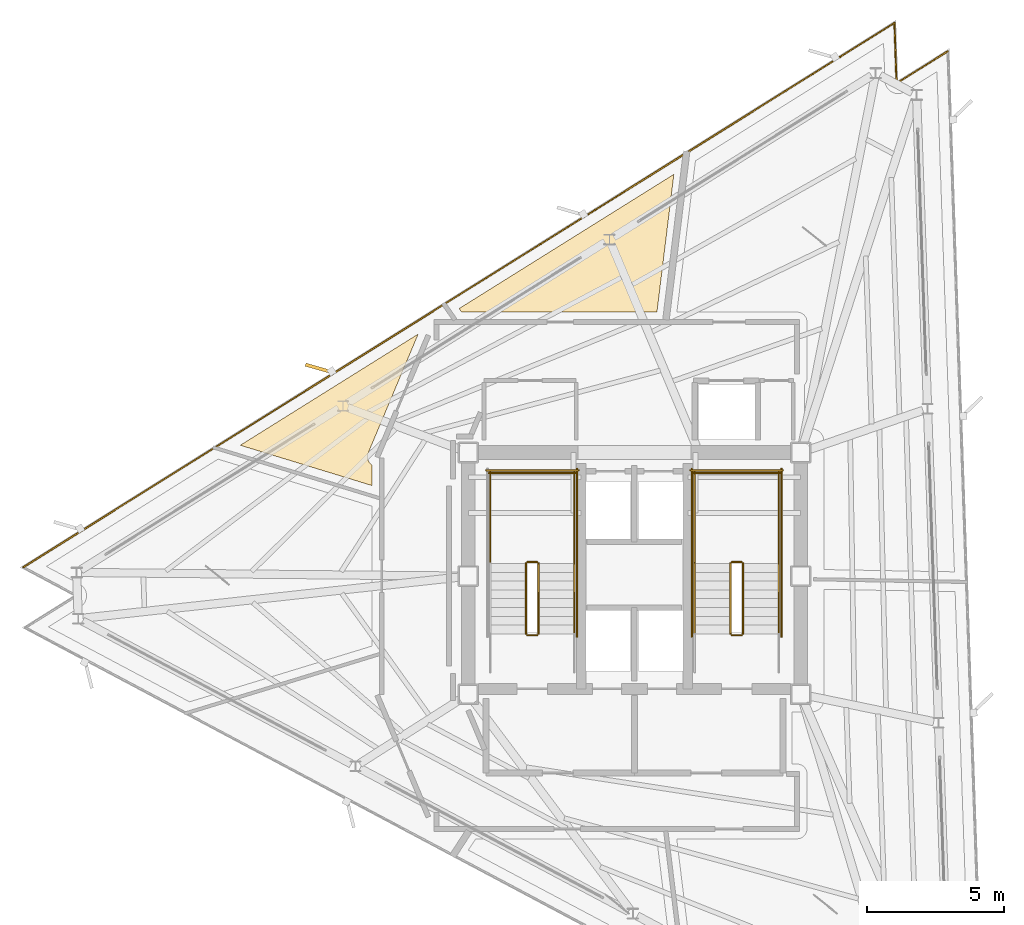
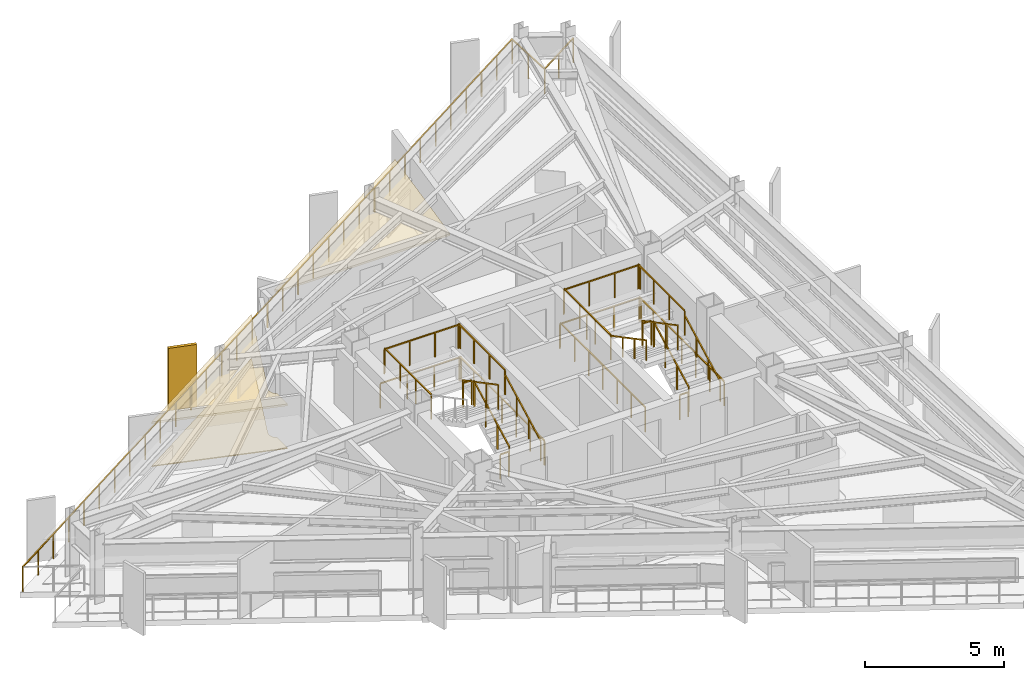
# One storey, part 12 of 13: 23 railings, 3 coverings, 1 shading device.
"""IFC4 building model written with IfcOpenShell, lengths in metres."""

from ifc_helpers import new_model, si_unit, direction, frame, origin, origin_2d, place, context, subcontext, project, spatial, polyline, rectangle, outline, extrude, material, layer, layer_set, type_object, element, save


model = new_model("IFC4")

# Units and contexts
model_context = context("Model", 3, precision=1e-05, world=origin(), true_north=direction((0.0, 1.0)))
body_context = subcontext(model_context, "Body", "Model", "MODEL_VIEW")
ifc_project = project(units=[si_unit("LENGTHUNIT", "METRE"), si_unit("AREAUNIT", "SQUARE_METRE"), si_unit("VOLUMEUNIT", "CUBIC_METRE"), si_unit("PLANEANGLEUNIT", "RADIAN"), si_unit("MASSUNIT", "GRAM", prefix="KILO")], contexts=[model_context])

# Site, building, storey
site_placement = place(None, origin())
site = spatial("IfcSite", under=ifc_project, at=site_placement, CompositionType="ELEMENT")
building_placement = place(site_placement, origin())
building = spatial("IfcBuilding", under=site, at=building_placement, Name="Rocaltana Carrier Exchange", CompositionType="ELEMENT")
storey_placement = place(building_placement, frame((0.0, 0.0, 211.840087890625)))
storey = spatial("IfcBuildingStorey", under=building, at=storey_placement, Name="L67", CompositionType="ELEMENT", Elevation=211.840087890625)

# Coverings
ifc_material_1 = material(Name="Honed Bogota Sandstone Tile", Category="masonry")
ifc_layer_1 = layer(ifc_material_1, 0.0400390625)
ifc_layer_set_1 = layer_set([ifc_layer_1], Name="Honed Bogota Sandstone Tile")
covering_type_1 = type_object("IfcCoveringType", Name="Honed Stone Lobby Flooring 40", PredefinedType="FLOORING", material=ifc_layer_set_1)
covering_1_placement = place(storey_placement, origin())
element("IfcCovering", 1, at=covering_1_placement, inside=storey, type_object=covering_type_1, Name="L67 Carrier Peering Suite Finish Floor", PredefinedType="FLOORING", context=body_context, shape_type="SweptSolid", body=[
    extrude(outline(polyline([(-9.56005859375, 4.052001953125), (-9.56005859375, 3.29931640625), (-14.35009765625, 4.763916015625), (-7.874267578125, 8.810302734375), (-9.69091796875, 4.489990234375), (-9.69580078125, 4.47705078125), (-9.698486328125, 4.4697265625), (-9.706787109375, 4.443603515625), (-9.70849609375, 4.435791015625), (-9.714111328125, 4.408935546875), (-9.71533203125, 4.401123046875), (-9.71826171875, 4.373779296875), (-9.718505859375, 4.365966796875), (-9.71875, 4.33837890625), (-9.718505859375, 4.330810546875), (-9.7158203125, 4.30322265625), (-9.714599609375, 4.295654296875), (-9.70947265625, 4.2685546875), (-9.70751953125, 4.260986328125), (-9.69970703125, 4.234619140625), (-9.697265625, 4.227294921875), (-9.686767578125, 4.201904296875), (-9.68359375, 4.194580078125), (-9.670654296875, 4.17041015625), (-9.666748046875, 4.16357421875), (-9.651611328125, 4.140625), (-9.64697265625, 4.134521484375), (-9.629638671875, 4.113037109375), (-9.624267578125, 4.107177734375), (-9.60498046875, 4.087646484375), (-9.59912109375, 4.082275390625), (-9.578125, 4.064697265625), (-9.57177734375, 4.06005859375), (-9.56005859375, 4.052001953125)])), origin(), (0.0, 0.0, 1.0), 0.039794921875),
])
ifc_material_2 = material(Name="Anodised Aluminium 6063-T6", Category="aluminium")
ifc_layer_2 = layer(ifc_material_2, 0.0849609375)
ifc_layer_set_2 = layer_set([ifc_layer_2], Name="Anodised Aluminium 6063-T6")
covering_type_2 = type_object("IfcCoveringType", Name="Linear Baffle Acoustic Ceiling 85", PredefinedType="CEILING", material=ifc_layer_set_2)
covering_2_placement = place(storey_placement, frame((0.0, 0.0, 1.8828125)))
element("IfcCovering", 2, at=covering_2_placement, inside=storey, type_object=covering_type_2, Name="L67 Peering Conference Room Acoustic Ceiling", PredefinedType="CEILING", context=body_context, shape_type="SweptSolid", body=[
    extrude(outline(polyline([(1.43310546875, 14.626220703125), (0.8173828125, 9.610107421875), (-6.28955078125, 9.610107421875), (-6.38232421875, 9.74267578125), (1.43310546875, 14.626220703125)])), origin(), (0.0, 0.0, 1.0), 0.085205078125),
])
covering_3_placement = place(storey_placement, frame((0.0, 0.0, 1.8828125)))
element("IfcCovering", 3, at=covering_3_placement, inside=storey, type_object=covering_type_2, Name="L67 Carrier Peering Suite Acoustic Ceiling", PredefinedType="CEILING", context=body_context, shape_type="SweptSolid", body=[
    extrude(outline(polyline([(-9.56005859375, 4.052001953125), (-9.56005859375, 3.29931640625), (-14.35009765625, 4.763916015625), (-7.874267578125, 8.810302734375), (-9.69091796875, 4.489990234375), (-9.69580078125, 4.47705078125), (-9.698486328125, 4.4697265625), (-9.706787109375, 4.443603515625), (-9.70849609375, 4.435791015625), (-9.714111328125, 4.408935546875), (-9.71533203125, 4.401123046875), (-9.71826171875, 4.373779296875), (-9.718505859375, 4.365966796875), (-9.71875, 4.33837890625), (-9.718505859375, 4.330810546875), (-9.7158203125, 4.30322265625), (-9.714599609375, 4.295654296875), (-9.70947265625, 4.2685546875), (-9.70751953125, 4.260986328125), (-9.69970703125, 4.234619140625), (-9.697265625, 4.227294921875), (-9.686767578125, 4.201904296875), (-9.68359375, 4.194580078125), (-9.670654296875, 4.17041015625), (-9.666748046875, 4.16357421875), (-9.651611328125, 4.140625), (-9.64697265625, 4.134521484375), (-9.629638671875, 4.113037109375), (-9.624267578125, 4.107177734375), (-9.60498046875, 4.087646484375), (-9.59912109375, 4.082275390625), (-9.578125, 4.064697265625), (-9.57177734375, 4.06005859375), (-9.56005859375, 4.052001953125)])), origin(), (0.0, 0.0, 1.0), 0.085205078125),
])

# Railings
ifc_material_3 = material(Name="Brushed Architectural Stainless Tube", Category="steel")
ifc_layer_3 = layer(ifc_material_3, 0.048095703125)
ifc_layer_set_3 = layer_set([ifc_layer_3], Name="Brushed Architectural Stainless Tube")
railing_type_1 = type_object("IfcRailingType", Name="Stair Wall Handrail 920", PredefinedType="HANDRAIL", material=ifc_layer_set_3)
for number, where, name in (
    (4, (-2.18994140625, -2.10009765625, 0.168701171875), "L67 ST-1 stair handrail 1"),
    (5, (5.25, -2.10009765625, 0.168701171875), "L67 ST-2 stair handrail 1"),
):
    element("IfcRailing", number, at=place(storey_placement, frame(where)), inside=storey, type_object=railing_type_1, Name=name, PredefinedType="HANDRAIL", context=body_context, shape_type="SweptSolid", body=[
        extrude(rectangle(XDim=0.048095703125, YDim=0.048095703125, at=origin_2d()), frame((0.0, 0.0, 0.8759765625), z_axis=(0.0, 0.884359608194, 0.46680625895), x_axis=(-1.0, 0.0, 0.0)), (0.0, 0.0, 1.0), 2.894775390625),
        extrude(rectangle(XDim=0.0419921875, YDim=0.0419921875, at=origin_2d()), origin(), (0.0, 0.0, 1.0), 0.851806640625),
        extrude(rectangle(XDim=0.0419921875, YDim=0.0419921875, at=origin_2d()), frame((0.0, 0.853271484375, 0.450439453125)), (0.0, 0.0, 1.0), 0.851806640625),
        extrude(rectangle(XDim=0.0419921875, YDim=0.0419921875, at=origin_2d()), frame((0.0, 1.706787109375, 0.90087890625)), (0.0, 0.0, 1.0), 0.851806640625),
        extrude(rectangle(XDim=0.0419921875, YDim=0.0419921875, at=origin_2d()), frame((0.0, 2.56005859375, 1.351318359375)), (0.0, 0.0, 1.0), 0.851806640625),
    ])
railing_1_placement = place(storey_placement, frame((2.18994140625, 0.4599609375, 1.688720703125)))
element("IfcRailing", 6, at=railing_1_placement, inside=storey, type_object=railing_type_1, Name="L67 ST-2 stair handrail 2", PredefinedType="HANDRAIL", context=body_context, shape_type="SweptSolid", body=[
    extrude(rectangle(XDim=0.048095703125, YDim=0.048095703125, at=origin_2d()), frame((0.0, 0.0, 0.8759765625), z_axis=(0.0, -0.884394423565, 0.466740295633), x_axis=(1.0, 0.0, 0.0)), (0.0, 0.0, 1.0), 2.894775390625),
    extrude(rectangle(XDim=0.0419921875, YDim=0.0419921875, at=origin_2d()), origin(), (0.0, 0.0, 1.0), 0.851806640625),
    extrude(rectangle(XDim=0.0419921875, YDim=0.0419921875, at=origin_2d()), frame((0.0, -0.853271484375, 0.450439453125)), (0.0, 0.0, 1.0), 0.851806640625),
    extrude(rectangle(XDim=0.0419921875, YDim=0.0419921875, at=origin_2d()), frame((0.0, -1.706787109375, 0.900634765625)), (0.0, 0.0, 1.0), 0.851806640625),
    extrude(rectangle(XDim=0.0419921875, YDim=0.0419921875, at=origin_2d()), frame((0.0, -2.56005859375, 1.35107421875)), (0.0, 0.0, 1.0), 0.851806640625),
])
ifc_material_4 = material(Name="Powder-Coated Aluminium 6063-T6", Category="aluminium")
ifc_layer_4 = layer(ifc_material_4, 0.048095703125)
ifc_layer_set_4 = layer_set([ifc_layer_4], Name="Powder-Coated Aluminium 6063-T6")
railing_type_2 = type_object("IfcRailingType", Name="Stair Well Guardrail 1100", PredefinedType="GUARDRAIL", material=ifc_layer_set_4)
railing_2_placement = place(storey_placement, frame((-3.489990234375, -2.10009765625, 0.168701171875)))
element("IfcRailing", 7, at=railing_2_placement, inside=storey, type_object=railing_type_2, Name="L67 ST-1 stair guard 1", PredefinedType="GUARDRAIL", context=body_context, shape_type="SweptSolid", body=[
    extrude(rectangle(XDim=0.048095703125, YDim=0.048095703125, at=origin_2d()), frame((0.0, 0.0, 1.076171875), z_axis=(0.0, 0.884359608194, 0.46680625895), x_axis=(-1.0, 0.0, 0.0)), (0.0, 0.0, 1.0), 2.894775390625),
    extrude(rectangle(XDim=0.0419921875, YDim=0.0419921875, at=origin_2d()), origin(), (0.0, 0.0, 1.0), 1.052001953125),
    extrude(rectangle(XDim=0.0419921875, YDim=0.0419921875, at=origin_2d()), frame((0.0, 0.853271484375, 0.450439453125)), (0.0, 0.0, 1.0), 1.052001953125),
    extrude(rectangle(XDim=0.0419921875, YDim=0.0419921875, at=origin_2d()), frame((0.0, 1.706787109375, 0.90087890625)), (0.0, 0.0, 1.0), 1.052001953125),
    extrude(rectangle(XDim=0.0419921875, YDim=0.0419921875, at=origin_2d()), frame((0.0, 2.56005859375, 1.351318359375)), (0.0, 0.0, 1.0), 1.052001953125),
])
railing_3_placement = place(storey_placement, frame((-3.5400390625, 0.510009765625, 1.52001953125)))
element("IfcRailing", 8, at=railing_3_placement, inside=storey, type_object=railing_type_2, Name="L67 ST-1 stair guard 2", PredefinedType="GUARDRAIL", context=body_context, shape_type="SweptSolid", body=[
    extrude(rectangle(XDim=0.048095703125, YDim=0.048095703125, at=origin_2d()), frame((0.0, 0.0, 1.076171875), z_axis=(-1.0, 0.0, 0.0), x_axis=(0.0, -1.0, 0.0)), (0.0, 0.0, 1.0), 0.35986328125),
    extrude(rectangle(XDim=0.0419921875, YDim=0.0419921875, at=origin_2d()), origin(), (0.0, 0.0, 1.0), 1.052001953125),
    extrude(rectangle(XDim=0.0419921875, YDim=0.0419921875, at=origin_2d()), frame((-0.35986328125, 0.0, 0.0)), (0.0, 0.0, 1.0), 1.052001953125),
])
for number, where, name in (
    (9, (-2.18994140625, 0.4599609375, 1.52001953125), "L67 ST-1 stair guard 3"),
    (10, (-5.25, 0.4599609375, 1.52001953125), "L67 ST-1 stair guard 4"),
):
    element("IfcRailing", number, at=place(storey_placement, frame(where)), inside=storey, type_object=railing_type_2, Name=name, PredefinedType="GUARDRAIL", context=body_context, shape_type="SweptSolid", body=[
        extrude(rectangle(XDim=0.048095703125, YDim=0.048095703125, at=origin_2d()), frame((0.0, 0.0, 1.076171875), z_axis=(0.0, 1.0, 0.0), x_axis=(-1.0, 0.0, 0.0)), (0.0, 0.0, 1.0), 3.340087890625),
        extrude(rectangle(XDim=0.0419921875, YDim=0.0419921875, at=origin_2d()), origin(), (0.0, 0.0, 1.0), 1.052001953125),
        extrude(rectangle(XDim=0.0419921875, YDim=0.0419921875, at=origin_2d()), frame((0.0, 1.11328125, 0.0)), (0.0, 0.0, 1.0), 1.052001953125),
        extrude(rectangle(XDim=0.0419921875, YDim=0.0419921875, at=origin_2d()), frame((0.0, 2.226806640625, 0.0)), (0.0, 0.0, 1.0), 1.052001953125),
        extrude(rectangle(XDim=0.0419921875, YDim=0.0419921875, at=origin_2d()), frame((0.0, 3.340087890625, 0.0)), (0.0, 0.0, 1.0), 1.052001953125),
    ])
railing_4_placement = place(storey_placement, frame((-2.139892578125, 3.75, 1.52001953125)))
element("IfcRailing", 11, at=railing_4_placement, inside=storey, type_object=railing_type_2, Name="L67 ST-1 stair guard 5", PredefinedType="GUARDRAIL", context=body_context, shape_type="SweptSolid", body=[
    extrude(rectangle(XDim=0.048095703125, YDim=0.048095703125, at=origin_2d()), frame((0.0, 0.0, 1.076171875), z_axis=(-1.0, 0.0, 0.0), x_axis=(0.0, -1.0, 0.0)), (0.0, 0.0, 1.0), 3.16015625),
    extrude(rectangle(XDim=0.0419921875, YDim=0.0419921875, at=origin_2d()), origin(), (0.0, 0.0, 1.0), 1.052001953125),
    extrude(rectangle(XDim=0.0419921875, YDim=0.0419921875, at=origin_2d()), frame((-1.053466796875, 0.0, 0.0)), (0.0, 0.0, 1.0), 1.052001953125),
    extrude(rectangle(XDim=0.0419921875, YDim=0.0419921875, at=origin_2d()), frame((-2.106689453125, 0.0, 0.0)), (0.0, 0.0, 1.0), 1.052001953125),
    extrude(rectangle(XDim=0.0419921875, YDim=0.0419921875, at=origin_2d()), frame((-3.16015625, 0.0, 0.0)), (0.0, 0.0, 1.0), 1.052001953125),
])
railing_5_placement = place(storey_placement, frame((-3.949951171875, 0.4599609375, 1.688720703125)))
element("IfcRailing", 12, at=railing_5_placement, inside=storey, type_object=railing_type_2, Name="L67 ST-1 stair guard 6", PredefinedType="GUARDRAIL", context=body_context, shape_type="SweptSolid", body=[
    extrude(rectangle(XDim=0.048095703125, YDim=0.048095703125, at=origin_2d()), frame((0.0, 0.0, 1.076171875), z_axis=(0.0, -0.884394423565, 0.466740295633), x_axis=(1.0, 0.0, 0.0)), (0.0, 0.0, 1.0), 2.894775390625),
    extrude(rectangle(XDim=0.0419921875, YDim=0.0419921875, at=origin_2d()), origin(), (0.0, 0.0, 1.0), 1.052001953125),
    extrude(rectangle(XDim=0.0419921875, YDim=0.0419921875, at=origin_2d()), frame((0.0, -0.853271484375, 0.450439453125)), (0.0, 0.0, 1.0), 1.052001953125),
    extrude(rectangle(XDim=0.0419921875, YDim=0.0419921875, at=origin_2d()), frame((0.0, -1.706787109375, 0.900634765625)), (0.0, 0.0, 1.0), 1.052001953125),
    extrude(rectangle(XDim=0.0419921875, YDim=0.0419921875, at=origin_2d()), frame((0.0, -2.56005859375, 1.35107421875)), (0.0, 0.0, 1.0), 1.052001953125),
])
railing_6_placement = place(storey_placement, frame((-3.5400390625, -2.14990234375, 0.0)))
element("IfcRailing", 13, at=railing_6_placement, inside=storey, type_object=railing_type_2, Name="L67 ST-1 stair guard 7", PredefinedType="GUARDRAIL", context=body_context, shape_type="SweptSolid", body=[
    extrude(rectangle(XDim=0.048095703125, YDim=0.048095703125, at=origin_2d()), frame((0.0, 0.0, 1.076171875), z_axis=(-1.0, 0.0, 0.0), x_axis=(0.0, -1.0, 0.0)), (0.0, 0.0, 1.0), 0.35986328125),
    extrude(rectangle(XDim=0.0419921875, YDim=0.0419921875, at=origin_2d()), origin(), (0.0, 0.0, 1.0), 1.052001953125),
    extrude(rectangle(XDim=0.0419921875, YDim=0.0419921875, at=origin_2d()), frame((-0.35986328125, 0.0, 0.0)), (0.0, 0.0, 1.0), 1.052001953125),
])
railing_7_placement = place(storey_placement, frame((-2.090087890625, -2.199951171875, 0.0)))
element("IfcRailing", 14, at=railing_7_placement, inside=storey, type_object=railing_type_2, Name="L67 ST-1 stair guard 10", PredefinedType="GUARDRAIL", context=body_context, shape_type="SweptSolid", body=[
    extrude(rectangle(XDim=0.048095703125, YDim=0.048095703125, at=origin_2d()), frame((0.0, 0.0, 1.076171875), z_axis=(0.0, 1.0, 0.0), x_axis=(-1.0, 0.0, 0.0)), (0.0, 0.0, 1.0), 6.099853515625),
    extrude(rectangle(XDim=0.0419921875, YDim=0.0419921875, at=origin_2d()), origin(), (0.0, 0.0, 1.0), 1.052001953125),
    extrude(rectangle(XDim=0.0419921875, YDim=0.0419921875, at=origin_2d()), frame((0.0, 1.0166015625, 0.0)), (0.0, 0.0, 1.0), 1.052001953125),
    extrude(rectangle(XDim=0.0419921875, YDim=0.0419921875, at=origin_2d()), frame((0.0, 2.033203125, 0.0)), (0.0, 0.0, 1.0), 1.052001953125),
    extrude(rectangle(XDim=0.0419921875, YDim=0.0419921875, at=origin_2d()), frame((0.0, 3.0498046875, 0.0)), (0.0, 0.0, 1.0), 1.052001953125),
    extrude(rectangle(XDim=0.0419921875, YDim=0.0419921875, at=origin_2d()), frame((0.0, 4.066650390625, 0.0)), (0.0, 0.0, 1.0), 1.052001953125),
    extrude(rectangle(XDim=0.0419921875, YDim=0.0419921875, at=origin_2d()), frame((0.0, 5.083251953125, 0.0)), (0.0, 0.0, 1.0), 1.052001953125),
    extrude(rectangle(XDim=0.0419921875, YDim=0.0419921875, at=origin_2d()), frame((0.0, 6.099853515625, 0.0)), (0.0, 0.0, 1.0), 1.052001953125),
])
railing_8_placement = place(storey_placement, frame((-2.0400390625, 3.85009765625, 0.0)))
element("IfcRailing", 15, at=railing_8_placement, inside=storey, type_object=railing_type_2, Name="L67 ST-1 stair guard 12", PredefinedType="GUARDRAIL", context=body_context, shape_type="SweptSolid", body=[
    extrude(rectangle(XDim=0.048095703125, YDim=0.048095703125, at=origin_2d()), frame((0.0, 0.0, 1.076171875), z_axis=(-1.0, 0.0, 0.0), x_axis=(0.0, -1.0, 0.0)), (0.0, 0.0, 1.0), 3.35986328125),
    extrude(rectangle(XDim=0.0419921875, YDim=0.0419921875, at=origin_2d()), origin(), (0.0, 0.0, 1.0), 1.052001953125),
    extrude(rectangle(XDim=0.0419921875, YDim=0.0419921875, at=origin_2d()), frame((-1.119873046875, 0.0, 0.0)), (0.0, 0.0, 1.0), 1.052001953125),
    extrude(rectangle(XDim=0.0419921875, YDim=0.0419921875, at=origin_2d()), frame((-2.239990234375, 0.0, 0.0)), (0.0, 0.0, 1.0), 1.052001953125),
    extrude(rectangle(XDim=0.0419921875, YDim=0.0419921875, at=origin_2d()), frame((-3.35986328125, 0.0, 0.0)), (0.0, 0.0, 1.0), 1.052001953125),
])
railing_9_placement = place(storey_placement, frame((3.949951171875, -2.10009765625, 0.168701171875)))
element("IfcRailing", 16, at=railing_9_placement, inside=storey, type_object=railing_type_2, Name="L67 ST-2 stair guard 1", PredefinedType="GUARDRAIL", context=body_context, shape_type="SweptSolid", body=[
    extrude(rectangle(XDim=0.048095703125, YDim=0.048095703125, at=origin_2d()), frame((0.0, 0.0, 1.076171875), z_axis=(0.0, 0.884359608194, 0.46680625895), x_axis=(-1.0, 0.0, 0.0)), (0.0, 0.0, 1.0), 2.894775390625),
    extrude(rectangle(XDim=0.0419921875, YDim=0.0419921875, at=origin_2d()), origin(), (0.0, 0.0, 1.0), 1.052001953125),
    extrude(rectangle(XDim=0.0419921875, YDim=0.0419921875, at=origin_2d()), frame((0.0, 0.853271484375, 0.450439453125)), (0.0, 0.0, 1.0), 1.052001953125),
    extrude(rectangle(XDim=0.0419921875, YDim=0.0419921875, at=origin_2d()), frame((0.0, 1.706787109375, 0.90087890625)), (0.0, 0.0, 1.0), 1.052001953125),
    extrude(rectangle(XDim=0.0419921875, YDim=0.0419921875, at=origin_2d()), frame((0.0, 2.56005859375, 1.351318359375)), (0.0, 0.0, 1.0), 1.052001953125),
])
railing_10_placement = place(storey_placement, frame((3.89990234375, 0.510009765625, 1.52001953125)))
element("IfcRailing", 17, at=railing_10_placement, inside=storey, type_object=railing_type_2, Name="L67 ST-2 stair guard 2", PredefinedType="GUARDRAIL", context=body_context, shape_type="SweptSolid", body=[
    extrude(rectangle(XDim=0.048095703125, YDim=0.048095703125, at=origin_2d()), frame((0.0, 0.0, 1.076171875), z_axis=(-1.0, 0.0, 0.0), x_axis=(0.0, -1.0, 0.0)), (0.0, 0.0, 1.0), 0.35986328125),
    extrude(rectangle(XDim=0.0419921875, YDim=0.0419921875, at=origin_2d()), origin(), (0.0, 0.0, 1.0), 1.052001953125),
    extrude(rectangle(XDim=0.0419921875, YDim=0.0419921875, at=origin_2d()), frame((-0.35986328125, 0.0, 0.0)), (0.0, 0.0, 1.0), 1.052001953125),
])
for number, where, name in (
    (18, (5.25, 0.4599609375, 1.52001953125), "L67 ST-2 stair guard 3"),
    (19, (2.18994140625, 0.4599609375, 1.52001953125), "L67 ST-2 stair guard 4"),
):
    element("IfcRailing", number, at=place(storey_placement, frame(where)), inside=storey, type_object=railing_type_2, Name=name, PredefinedType="GUARDRAIL", context=body_context, shape_type="SweptSolid", body=[
        extrude(rectangle(XDim=0.048095703125, YDim=0.048095703125, at=origin_2d()), frame((0.0, 0.0, 1.076171875), z_axis=(0.0, 1.0, 0.0), x_axis=(-1.0, 0.0, 0.0)), (0.0, 0.0, 1.0), 3.340087890625),
        extrude(rectangle(XDim=0.0419921875, YDim=0.0419921875, at=origin_2d()), origin(), (0.0, 0.0, 1.0), 1.052001953125),
        extrude(rectangle(XDim=0.0419921875, YDim=0.0419921875, at=origin_2d()), frame((0.0, 1.11328125, 0.0)), (0.0, 0.0, 1.0), 1.052001953125),
        extrude(rectangle(XDim=0.0419921875, YDim=0.0419921875, at=origin_2d()), frame((0.0, 2.226806640625, 0.0)), (0.0, 0.0, 1.0), 1.052001953125),
        extrude(rectangle(XDim=0.0419921875, YDim=0.0419921875, at=origin_2d()), frame((0.0, 3.340087890625, 0.0)), (0.0, 0.0, 1.0), 1.052001953125),
    ])
railing_11_placement = place(storey_placement, frame((5.300048828125, 3.75, 1.52001953125)))
element("IfcRailing", 20, at=railing_11_placement, inside=storey, type_object=railing_type_2, Name="L67 ST-2 stair guard 5", PredefinedType="GUARDRAIL", context=body_context, shape_type="SweptSolid", body=[
    extrude(rectangle(XDim=0.048095703125, YDim=0.048095703125, at=origin_2d()), frame((0.0, 0.0, 1.076171875), z_axis=(-1.0, 0.0, 0.0), x_axis=(0.0, -1.0, 0.0)), (0.0, 0.0, 1.0), 3.16015625),
    extrude(rectangle(XDim=0.0419921875, YDim=0.0419921875, at=origin_2d()), origin(), (0.0, 0.0, 1.0), 1.052001953125),
    extrude(rectangle(XDim=0.0419921875, YDim=0.0419921875, at=origin_2d()), frame((-1.053466796875, 0.0, 0.0)), (0.0, 0.0, 1.0), 1.052001953125),
    extrude(rectangle(XDim=0.0419921875, YDim=0.0419921875, at=origin_2d()), frame((-2.106689453125, 0.0, 0.0)), (0.0, 0.0, 1.0), 1.052001953125),
    extrude(rectangle(XDim=0.0419921875, YDim=0.0419921875, at=origin_2d()), frame((-3.16015625, 0.0, 0.0)), (0.0, 0.0, 1.0), 1.052001953125),
])
railing_12_placement = place(storey_placement, frame((3.489990234375, 0.4599609375, 1.688720703125)))
element("IfcRailing", 21, at=railing_12_placement, inside=storey, type_object=railing_type_2, Name="L67 ST-2 stair guard 6", PredefinedType="GUARDRAIL", context=body_context, shape_type="SweptSolid", body=[
    extrude(rectangle(XDim=0.048095703125, YDim=0.048095703125, at=origin_2d()), frame((0.0, 0.0, 1.076171875), z_axis=(0.0, -0.884394423565, 0.466740295633), x_axis=(1.0, 0.0, 0.0)), (0.0, 0.0, 1.0), 2.894775390625),
    extrude(rectangle(XDim=0.0419921875, YDim=0.0419921875, at=origin_2d()), origin(), (0.0, 0.0, 1.0), 1.052001953125),
    extrude(rectangle(XDim=0.0419921875, YDim=0.0419921875, at=origin_2d()), frame((0.0, -0.853271484375, 0.450439453125)), (0.0, 0.0, 1.0), 1.052001953125),
    extrude(rectangle(XDim=0.0419921875, YDim=0.0419921875, at=origin_2d()), frame((0.0, -1.706787109375, 0.900634765625)), (0.0, 0.0, 1.0), 1.052001953125),
    extrude(rectangle(XDim=0.0419921875, YDim=0.0419921875, at=origin_2d()), frame((0.0, -2.56005859375, 1.35107421875)), (0.0, 0.0, 1.0), 1.052001953125),
])
railing_13_placement = place(storey_placement, frame((3.89990234375, -2.14990234375, 0.0)))
element("IfcRailing", 22, at=railing_13_placement, inside=storey, type_object=railing_type_2, Name="L67 ST-2 stair guard 7", PredefinedType="GUARDRAIL", context=body_context, shape_type="SweptSolid", body=[
    extrude(rectangle(XDim=0.048095703125, YDim=0.048095703125, at=origin_2d()), frame((0.0, 0.0, 1.076171875), z_axis=(-1.0, 0.0, 0.0), x_axis=(0.0, -1.0, 0.0)), (0.0, 0.0, 1.0), 0.35986328125),
    extrude(rectangle(XDim=0.0419921875, YDim=0.0419921875, at=origin_2d()), origin(), (0.0, 0.0, 1.0), 1.052001953125),
    extrude(rectangle(XDim=0.0419921875, YDim=0.0419921875, at=origin_2d()), frame((-0.35986328125, 0.0, 0.0)), (0.0, 0.0, 1.0), 1.052001953125),
])
for number, where, name in (
    (23, (5.35009765625, -2.199951171875, 0.0), "L67 ST-2 stair guard 10"),
    (24, (2.090087890625, -2.199951171875, 0.0), "L67 ST-2 stair guard 11"),
):
    element("IfcRailing", number, at=place(storey_placement, frame(where)), inside=storey, type_object=railing_type_2, Name=name, PredefinedType="GUARDRAIL", context=body_context, shape_type="SweptSolid", body=[
        extrude(rectangle(XDim=0.048095703125, YDim=0.048095703125, at=origin_2d()), frame((0.0, 0.0, 1.076171875), z_axis=(0.0, 1.0, 0.0), x_axis=(-1.0, 0.0, 0.0)), (0.0, 0.0, 1.0), 6.099853515625),
        extrude(rectangle(XDim=0.0419921875, YDim=0.0419921875, at=origin_2d()), origin(), (0.0, 0.0, 1.0), 1.052001953125),
        extrude(rectangle(XDim=0.0419921875, YDim=0.0419921875, at=origin_2d()), frame((0.0, 1.0166015625, 0.0)), (0.0, 0.0, 1.0), 1.052001953125),
        extrude(rectangle(XDim=0.0419921875, YDim=0.0419921875, at=origin_2d()), frame((0.0, 2.033203125, 0.0)), (0.0, 0.0, 1.0), 1.052001953125),
        extrude(rectangle(XDim=0.0419921875, YDim=0.0419921875, at=origin_2d()), frame((0.0, 3.0498046875, 0.0)), (0.0, 0.0, 1.0), 1.052001953125),
        extrude(rectangle(XDim=0.0419921875, YDim=0.0419921875, at=origin_2d()), frame((0.0, 4.066650390625, 0.0)), (0.0, 0.0, 1.0), 1.052001953125),
        extrude(rectangle(XDim=0.0419921875, YDim=0.0419921875, at=origin_2d()), frame((0.0, 5.083251953125, 0.0)), (0.0, 0.0, 1.0), 1.052001953125),
        extrude(rectangle(XDim=0.0419921875, YDim=0.0419921875, at=origin_2d()), frame((0.0, 6.099853515625, 0.0)), (0.0, 0.0, 1.0), 1.052001953125),
    ])
railing_14_placement = place(storey_placement, frame((5.39990234375, 3.85009765625, 0.0)))
element("IfcRailing", 25, at=railing_14_placement, inside=storey, type_object=railing_type_2, Name="L67 ST-2 stair guard 12", PredefinedType="GUARDRAIL", context=body_context, shape_type="SweptSolid", body=[
    extrude(rectangle(XDim=0.048095703125, YDim=0.048095703125, at=origin_2d()), frame((0.0, 0.0, 1.076171875), z_axis=(-1.0, 0.0, 0.0), x_axis=(0.0, -1.0, 0.0)), (0.0, 0.0, 1.0), 3.35986328125),
    extrude(rectangle(XDim=0.0419921875, YDim=0.0419921875, at=origin_2d()), origin(), (0.0, 0.0, 1.0), 1.052001953125),
    extrude(rectangle(XDim=0.0419921875, YDim=0.0419921875, at=origin_2d()), frame((-1.119873046875, 0.0, 0.0)), (0.0, 0.0, 1.0), 1.052001953125),
    extrude(rectangle(XDim=0.0419921875, YDim=0.0419921875, at=origin_2d()), frame((-2.239990234375, 0.0, 0.0)), (0.0, 0.0, 1.0), 1.052001953125),
    extrude(rectangle(XDim=0.0419921875, YDim=0.0419921875, at=origin_2d()), frame((-3.35986328125, 0.0, 0.0)), (0.0, 0.0, 1.0), 1.052001953125),
])

# Shading device
ifc_material_5 = material(Name="Honed Bogota Sandstone & Concrete C45/55", Category="masonry")
ifc_layer_5 = layer(ifc_material_5, 0.1201171875)
ifc_layer_set_5 = layer_set([ifc_layer_5], Name="Honed Bogota Sandstone & Concrete C45/55")
shading_device_type = type_object("IfcShadingDeviceType", Name="Upper Sandstone Shading Fin 1050x120", PredefinedType="USERDEFINED", material=ifc_layer_set_5)
shading_device_placement = place(storey_placement, frame((-11.470703125, 7.55419921875, -0.1201171875), z_axis=(0.0, 0.0, 1.0), x_axis=(-0.961261695938, 0.275637355817, 0.0)))
element("IfcShadingDevice", 26, at=shading_device_placement, inside=storey, type_object=shading_device_type, Name="L67 Sandstone Vertical Fin F2-03", ObjectType="FIN", PredefinedType="USERDEFINED", context=body_context, shape_type="SweptSolid", body=[
    extrude(rectangle(XDim=1.050048828125, YDim=0.1201171875, at=origin_2d()), origin(), (0.0, 0.0, 1.0), 2.738037109375),
])

# Railing
ifc_material_6 = material(Name="Powder-Coated Aluminium 6063-T6", Category="aluminium")
ifc_layer_6 = layer(ifc_material_6, 0.06005859375)
ifc_layer_set_6 = layer_set([ifc_layer_6], Name="Powder-Coated Aluminium 6063-T6")
railing_type_3 = type_object("IfcRailingType", Name="Wind-Floor & Terrace Perimeter Guardrail 1100", PredefinedType="GUARDRAIL", material=ifc_layer_set_6)
railing_15_placement = place(storey_placement, frame((-22.248291015625, 0.32373046875, 0.0)))
element("IfcRailing", 27, at=railing_15_placement, inside=storey, type_object=railing_type_3, Name="L67 Perimeter Balcony Guardrail 2", PredefinedType="GUARDRAIL", context=body_context, shape_type="SweptSolid", body=[
    extrude(rectangle(XDim=0.048095703125, YDim=0.048095703125, at=origin_2d()), frame((0.0, 0.0, 1.076171875), z_axis=(0.848050386707, 0.529915598568, 0.0), x_axis=(-0.529915598568, 0.848050386707, 0.0)), (0.0, 0.0, 1.0), 37.39208984375),
    extrude(rectangle(XDim=0.048095703125, YDim=0.048095703125, at=origin_2d()), frame((31.71044921875, 19.814697265625, 1.076171875), z_axis=(0.034848337617, -0.999392612223, 0.0), x_axis=(0.999392612223, 0.034848337617, 0.0)), (0.0, 0.0, 1.0), 2.19970703125),
    extrude(rectangle(XDim=0.048095703125, YDim=0.048095703125, at=origin_2d()), frame((31.787109375, 17.6162109375, 1.076171875), z_axis=(0.848060642886, 0.52989918474, 0.0), x_axis=(-0.52989918474, 0.848060642886, 0.0)), (0.0, 0.0, 1.0), 2.199951171875),
    extrude(rectangle(XDim=0.0419921875, YDim=0.0419921875, at=origin_2d()), origin(), (0.0, 0.0, 1.0), 1.052001953125),
    extrude(rectangle(XDim=0.0419921875, YDim=0.0419921875, at=origin_2d()), frame((0.990966796875, 0.619140625, 0.0)), (0.0, 0.0, 1.0), 1.052001953125),
    extrude(rectangle(XDim=0.0419921875, YDim=0.0419921875, at=origin_2d()), frame((1.98193359375, 1.238525390625, 0.0)), (0.0, 0.0, 1.0), 1.052001953125),
    extrude(rectangle(XDim=0.0419921875, YDim=0.0419921875, at=origin_2d()), frame((2.972900390625, 1.857666015625, 0.0)), (0.0, 0.0, 1.0), 1.052001953125),
    extrude(rectangle(XDim=0.0419921875, YDim=0.0419921875, at=origin_2d()), frame((3.9638671875, 2.476806640625, 0.0)), (0.0, 0.0, 1.0), 1.052001953125),
    extrude(rectangle(XDim=0.0419921875, YDim=0.0419921875, at=origin_2d()), frame((4.954833984375, 3.095947265625, 0.0)), (0.0, 0.0, 1.0), 1.052001953125),
    extrude(rectangle(XDim=0.0419921875, YDim=0.0419921875, at=origin_2d()), frame((5.94580078125, 3.71533203125, 0.0)), (0.0, 0.0, 1.0), 1.052001953125),
    extrude(rectangle(XDim=0.0419921875, YDim=0.0419921875, at=origin_2d()), frame((6.936767578125, 4.33447265625, 0.0)), (0.0, 0.0, 1.0), 1.052001953125),
    extrude(rectangle(XDim=0.0419921875, YDim=0.0419921875, at=origin_2d()), frame((7.927734375, 4.95361328125, 0.0)), (0.0, 0.0, 1.0), 1.052001953125),
    extrude(rectangle(XDim=0.0419921875, YDim=0.0419921875, at=origin_2d()), frame((8.91845703125, 5.572998046875, 0.0)), (0.0, 0.0, 1.0), 1.052001953125),
    extrude(rectangle(XDim=0.0419921875, YDim=0.0419921875, at=origin_2d()), frame((9.909423828125, 6.192138671875, 0.0)), (0.0, 0.0, 1.0), 1.052001953125),
    extrude(rectangle(XDim=0.0419921875, YDim=0.0419921875, at=origin_2d()), frame((10.900390625, 6.811279296875, 0.0)), (0.0, 0.0, 1.0), 1.052001953125),
    extrude(rectangle(XDim=0.0419921875, YDim=0.0419921875, at=origin_2d()), frame((11.891357421875, 7.430419921875, 0.0)), (0.0, 0.0, 1.0), 1.052001953125),
    extrude(rectangle(XDim=0.0419921875, YDim=0.0419921875, at=origin_2d()), frame((12.88232421875, 8.0498046875, 0.0)), (0.0, 0.0, 1.0), 1.052001953125),
    extrude(rectangle(XDim=0.0419921875, YDim=0.0419921875, at=origin_2d()), frame((13.873291015625, 8.6689453125, 0.0)), (0.0, 0.0, 1.0), 1.052001953125),
    extrude(rectangle(XDim=0.0419921875, YDim=0.0419921875, at=origin_2d()), frame((14.8642578125, 9.2880859375, 0.0)), (0.0, 0.0, 1.0), 1.052001953125),
    extrude(rectangle(XDim=0.0419921875, YDim=0.0419921875, at=origin_2d()), frame((15.855224609375, 9.9072265625, 0.0)), (0.0, 0.0, 1.0), 1.052001953125),
    extrude(rectangle(XDim=0.0419921875, YDim=0.0419921875, at=origin_2d()), frame((16.84619140625, 10.526611328125, 0.0)), (0.0, 0.0, 1.0), 1.052001953125),
    extrude(rectangle(XDim=0.0419921875, YDim=0.0419921875, at=origin_2d()), frame((17.837158203125, 11.145751953125, 0.0)), (0.0, 0.0, 1.0), 1.052001953125),
    extrude(rectangle(XDim=0.0419921875, YDim=0.0419921875, at=origin_2d()), frame((18.828125, 11.764892578125, 0.0)), (0.0, 0.0, 1.0), 1.052001953125),
    extrude(rectangle(XDim=0.0419921875, YDim=0.0419921875, at=origin_2d()), frame((19.819091796875, 12.38427734375, 0.0)), (0.0, 0.0, 1.0), 1.052001953125),
    extrude(rectangle(XDim=0.0419921875, YDim=0.0419921875, at=origin_2d()), frame((20.81005859375, 13.00341796875, 0.0)), (0.0, 0.0, 1.0), 1.052001953125),
    extrude(rectangle(XDim=0.0419921875, YDim=0.0419921875, at=origin_2d()), frame((21.801025390625, 13.62255859375, 0.0)), (0.0, 0.0, 1.0), 1.052001953125),
    extrude(rectangle(XDim=0.0419921875, YDim=0.0419921875, at=origin_2d()), frame((22.7919921875, 14.24169921875, 0.0)), (0.0, 0.0, 1.0), 1.052001953125),
    extrude(rectangle(XDim=0.0419921875, YDim=0.0419921875, at=origin_2d()), frame((23.78271484375, 14.861083984375, 0.0)), (0.0, 0.0, 1.0), 1.052001953125),
    extrude(rectangle(XDim=0.0419921875, YDim=0.0419921875, at=origin_2d()), frame((24.773681640625, 15.480224609375, 0.0)), (0.0, 0.0, 1.0), 1.052001953125),
    extrude(rectangle(XDim=0.0419921875, YDim=0.0419921875, at=origin_2d()), frame((25.7646484375, 16.099365234375, 0.0)), (0.0, 0.0, 1.0), 1.052001953125),
    extrude(rectangle(XDim=0.0419921875, YDim=0.0419921875, at=origin_2d()), frame((26.755615234375, 16.71875, 0.0)), (0.0, 0.0, 1.0), 1.052001953125),
    extrude(rectangle(XDim=0.0419921875, YDim=0.0419921875, at=origin_2d()), frame((27.74658203125, 17.337890625, 0.0)), (0.0, 0.0, 1.0), 1.052001953125),
    extrude(rectangle(XDim=0.0419921875, YDim=0.0419921875, at=origin_2d()), frame((28.737548828125, 17.95703125, 0.0)), (0.0, 0.0, 1.0), 1.052001953125),
    extrude(rectangle(XDim=0.0419921875, YDim=0.0419921875, at=origin_2d()), frame((29.728515625, 18.576171875, 0.0)), (0.0, 0.0, 1.0), 1.052001953125),
    extrude(rectangle(XDim=0.0419921875, YDim=0.0419921875, at=origin_2d()), frame((30.719482421875, 19.195556640625, 0.0)), (0.0, 0.0, 1.0), 1.052001953125),
    extrude(rectangle(XDim=0.0419921875, YDim=0.0419921875, at=origin_2d()), frame((31.71044921875, 19.814697265625, 0.0)), (0.0, 0.0, 1.0), 1.052001953125),
    extrude(rectangle(XDim=0.0419921875, YDim=0.0419921875, at=origin_2d()), frame((31.748779296875, 18.71533203125, 0.0)), (0.0, 0.0, 1.0), 1.052001953125),
    extrude(rectangle(XDim=0.0419921875, YDim=0.0419921875, at=origin_2d()), frame((31.787109375, 17.6162109375, 0.0)), (0.0, 0.0, 1.0), 1.052001953125),
    extrude(rectangle(XDim=0.0419921875, YDim=0.0419921875, at=origin_2d()), frame((32.719970703125, 18.19921875, 0.0)), (0.0, 0.0, 1.0), 1.052001953125),
    extrude(rectangle(XDim=0.0419921875, YDim=0.0419921875, at=origin_2d()), frame((33.65283203125, 18.781982421875, 0.0)), (0.0, 0.0, 1.0), 1.052001953125),
])

save(model, "model.ifc")
